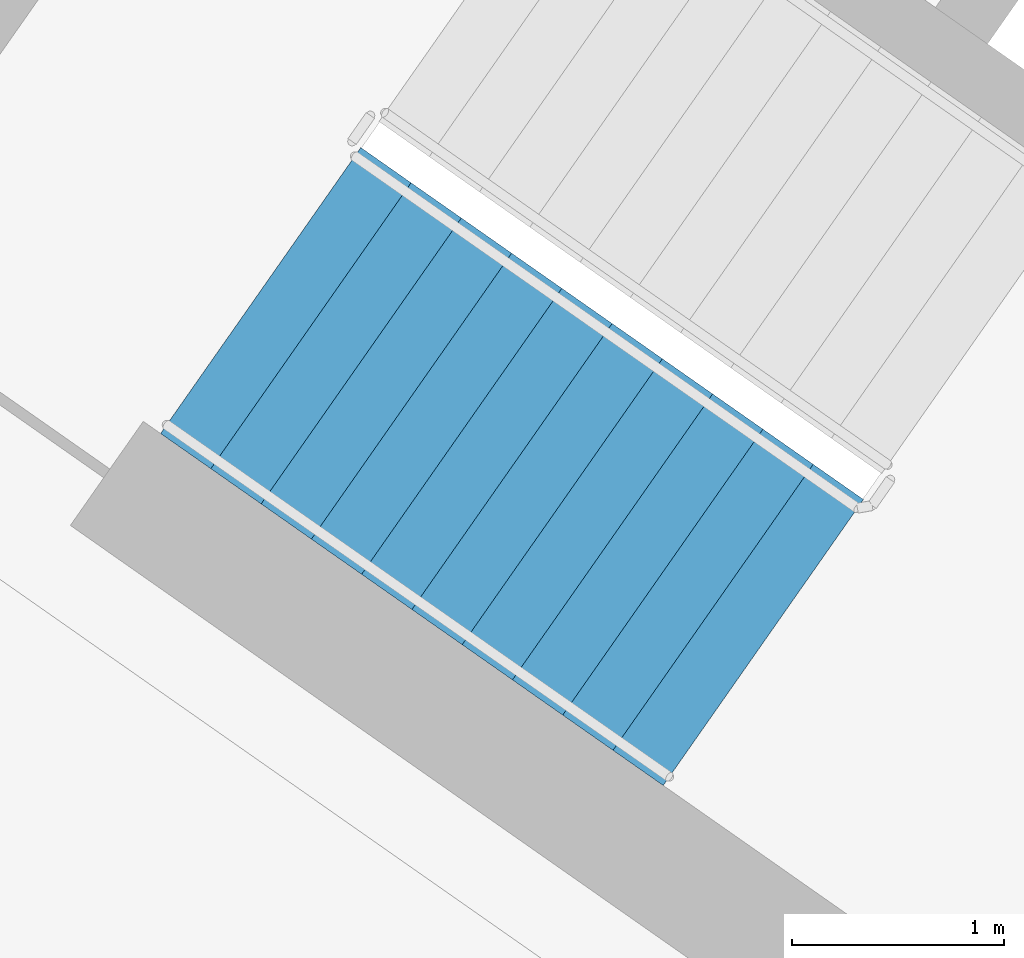
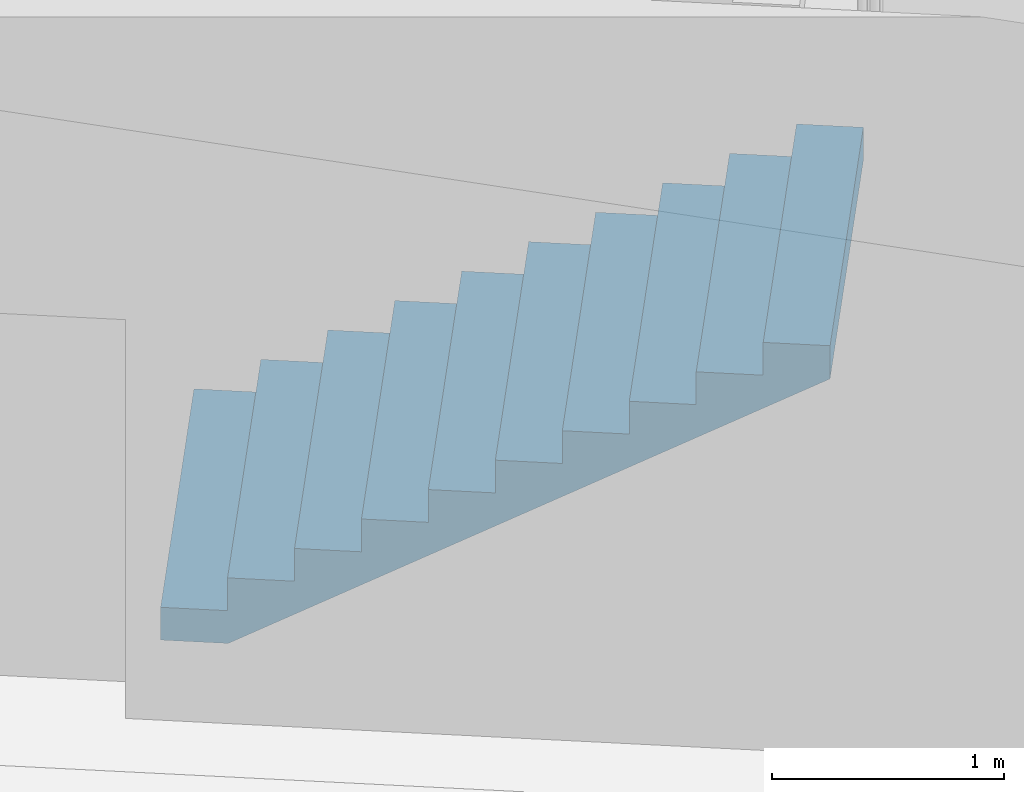
# One storey, part 10 of 27: 1 stair flight, 1 element without a shape of its own.
"""IFC4 building model written with IfcOpenShell, lengths in metres."""

from ifc_helpers import new_model, si_unit, direction, frame, origin, place, context, subcontext, project, spatial, faceted_brep, material, type_object, element, aggregate, save


model = new_model("IFC4")

# Units and contexts
model_context = context("Model", 3, precision=1e-05, world=origin(), true_north=direction((0.0, 1.0)))
body_context = subcontext(model_context, "Body", "Model", "MODEL_VIEW")
ifc_project = project(units=[si_unit("LENGTHUNIT", "METRE"), si_unit("AREAUNIT", "SQUARE_METRE"), si_unit("VOLUMEUNIT", "CUBIC_METRE"), si_unit("PLANEANGLEUNIT", "RADIAN"), si_unit("MASSUNIT", "GRAM", prefix="KILO")], contexts=[model_context])

# Site, building, storey
site_placement = place(None, origin())
site = spatial("IfcSite", under=ifc_project, at=site_placement, CompositionType="ELEMENT")
building_placement = place(site_placement, origin())
building = spatial("IfcBuilding", under=site, at=building_placement, Name="Qamariyya Broadcast Tower", CompositionType="ELEMENT")
storey_placement = place(building_placement, frame((0.0, 0.0, 175.89990234375)))
storey = spatial("IfcBuildingStorey", under=building, at=storey_placement, Name="L41", CompositionType="ELEMENT", Elevation=175.89990234375)

# Stair, stair flight
ifc_material = material(Name="Concrete C50/60", Category="concrete")
stair_type = type_object("IfcStairType", Name="Exit stair 22 risers of 173 mm", PredefinedType="HALF_TURN_STAIR", material=ifc_material)
stair_placement = place(storey_placement, origin())
stair = element("IfcStair", 1, at=stair_placement, inside=storey, type_object=stair_type, Name="L41 Stair W1", PredefinedType="HALF_TURN_STAIR")
stair_flight_type = type_object("IfcStairFlightType", Name="Exit stair flight 11 risers of 173 mm", PredefinedType="STRAIGHT", material=ifc_material)
stair_flight_placement = place(storey_placement, frame((-47.06884765625, -56.982666015625, 0.0), z_axis=(0.0, 0.0, 1.0), x_axis=(0.819152044289, -0.573576436351, 0.0)))
stair_flight = element("IfcStairFlight", 2, at=stair_flight_placement, type_object=stair_flight_type, Name="ST-W1 flight 1", NumberOfRisers=11, NumberOfTreads=10, PredefinedType="STRAIGHT", RiserHeight=0.172727273, TreadLength=0.29, context=body_context, shape_type="Brep", body=[
    faceted_brep([(0.0, 0.824951171875, 0.0), (0.0, 0.824951171875, 0.172607421875), (0.2900390625, 0.824951171875, 0.172607421875), (0.2900390625, 0.824951171875, 0.345458984375), (0.580078125, 0.824951171875, 0.345458984375), (0.580078125, 0.824951171875, 0.51806640625), (0.8701171875, 0.824951171875, 0.51806640625), (0.8701171875, 0.824951171875, 0.69091796875), (1.159912109375, 0.824951171875, 0.69091796875), (1.159912109375, 0.824951171875, 0.863525390625), (1.449951171875, 0.824951171875, 0.863525390625), (1.449951171875, 0.824951171875, 1.036376953125), (1.739990234375, 0.824951171875, 1.036376953125), (1.739990234375, 0.824951171875, 1.208984375), (2.030029296875, 0.824951171875, 1.208984375), (2.030029296875, 0.824951171875, 1.3818359375), (2.320068359375, 0.824951171875, 1.3818359375), (2.320068359375, 0.824951171875, 1.554443359375), (2.610107421875, 0.824951171875, 1.554443359375), (2.610107421875, 0.824951171875, 1.727294921875), (2.89990234375, 0.824951171875, 1.727294921875), (2.89990234375, 0.824951171875, 1.552734375), (0.29296875, 0.824951171875, 0.0), (0.29296875, -0.824951171875, 0.0), (2.89990234375, -0.824951171875, 1.552734375), (2.89990234375, -0.824951171875, 1.727294921875), (2.610107421875, -0.824951171875, 1.727294921875), (2.610107421875, -0.824951171875, 1.554443359375), (2.320068359375, -0.824951171875, 1.554443359375), (2.320068359375, -0.824951171875, 1.3818359375), (2.030029296875, -0.824951171875, 1.3818359375), (2.030029296875, -0.824951171875, 1.208984375), (1.739990234375, -0.824951171875, 1.208984375), (1.739990234375, -0.824951171875, 1.036376953125), (1.449951171875, -0.824951171875, 1.036376953125), (1.449951171875, -0.824951171875, 0.863525390625), (1.159912109375, -0.824951171875, 0.863525390625), (1.159912109375, -0.824951171875, 0.69091796875), (0.8701171875, -0.824951171875, 0.69091796875), (0.8701171875, -0.824951171875, 0.51806640625), (0.580078125, -0.824951171875, 0.51806640625), (0.580078125, -0.824951171875, 0.345458984375), (0.2900390625, -0.824951171875, 0.345458984375), (0.2900390625, -0.824951171875, 0.172607421875), (0.0, -0.824951171875, 0.172607421875), (0.0, -0.824951171875, 0.0), (0.0, 0.10009765625, 0.0), (0.0, 0.086669921875, 0.0), (0.0, 0.0732421875, 0.0), (0.0, 0.06005859375, 0.0), (0.0, 0.046630859375, 0.0), (0.0, 0.033447265625, 0.0), (0.0, 0.02001953125, 0.0), (0.0, 0.006591796875, 0.0), (0.0, -0.006591796875, 0.0), (0.0, -0.02001953125, 0.0), (0.0, -0.033447265625, 0.0), (0.0, -0.046630859375, 0.0), (0.0, -0.06005859375, 0.0), (0.0, -0.0732421875, 0.0), (0.0, -0.086669921875, 0.0), (0.0, -0.10009765625, 0.0), (0.0, -0.10009765625, 0.172607421875), (0.0, -0.086669921875, 0.172607421875), (0.0, -0.0732421875, 0.172607421875), (0.0, -0.06005859375, 0.172607421875), (0.0, -0.046630859375, 0.172607421875), (0.0, -0.033447265625, 0.172607421875), (0.0, -0.02001953125, 0.172607421875), (0.0, -0.006591796875, 0.172607421875), (0.0, 0.006591796875, 0.172607421875), (0.0, 0.02001953125, 0.172607421875), (0.0, 0.033447265625, 0.172607421875), (0.0, 0.046630859375, 0.172607421875), (0.0, 0.06005859375, 0.172607421875), (0.0, 0.0732421875, 0.172607421875), (0.0, 0.086669921875, 0.172607421875), (0.0, 0.10009765625, 0.172607421875), (0.2900390625, -0.10009765625, 0.172607421875), (0.2900390625, -0.086669921875, 0.172607421875), (0.2900390625, -0.0732421875, 0.172607421875), (0.2900390625, -0.06005859375, 0.172607421875), (0.2900390625, -0.046630859375, 0.172607421875), (0.2900390625, -0.033447265625, 0.172607421875), (0.2900390625, -0.02001953125, 0.172607421875), (0.2900390625, -0.006591796875, 0.172607421875), (0.2900390625, 0.006591796875, 0.172607421875), (0.2900390625, 0.02001953125, 0.172607421875), (0.2900390625, 0.033447265625, 0.172607421875), (0.2900390625, 0.046630859375, 0.172607421875), (0.2900390625, 0.06005859375, 0.172607421875), (0.2900390625, 0.0732421875, 0.172607421875), (0.2900390625, 0.086669921875, 0.172607421875), (0.2900390625, 0.10009765625, 0.172607421875), (0.2900390625, -0.10009765625, 0.345458984375), (0.2900390625, -0.086669921875, 0.345458984375), (0.2900390625, -0.0732421875, 0.345458984375), (0.2900390625, -0.06005859375, 0.345458984375), (0.2900390625, -0.046630859375, 0.345458984375), (0.2900390625, -0.033447265625, 0.345458984375), (0.2900390625, -0.02001953125, 0.345458984375), (0.2900390625, -0.006591796875, 0.345458984375), (0.2900390625, 0.006591796875, 0.345458984375), (0.2900390625, 0.02001953125, 0.345458984375), (0.2900390625, 0.033447265625, 0.345458984375), (0.2900390625, 0.046630859375, 0.345458984375), (0.2900390625, 0.06005859375, 0.345458984375), (0.2900390625, 0.0732421875, 0.345458984375), (0.2900390625, 0.086669921875, 0.345458984375), (0.2900390625, 0.10009765625, 0.345458984375), (0.580078125, -0.10009765625, 0.345458984375), (0.580078125, -0.086669921875, 0.345458984375), (0.580078125, -0.0732421875, 0.345458984375), (0.580078125, -0.06005859375, 0.345458984375), (0.580078125, -0.046630859375, 0.345458984375), (0.580078125, -0.033447265625, 0.345458984375), (0.580078125, -0.02001953125, 0.345458984375), (0.580078125, -0.006591796875, 0.345458984375), (0.580078125, 0.006591796875, 0.345458984375), (0.580078125, 0.02001953125, 0.345458984375), (0.580078125, 0.033447265625, 0.345458984375), (0.580078125, 0.046630859375, 0.345458984375), (0.580078125, 0.06005859375, 0.345458984375), (0.580078125, 0.0732421875, 0.345458984375), (0.580078125, 0.086669921875, 0.345458984375), (0.580078125, 0.10009765625, 0.345458984375), (0.580078125, -0.10009765625, 0.51806640625), (0.580078125, -0.086669921875, 0.51806640625), (0.580078125, -0.0732421875, 0.51806640625), (0.580078125, -0.06005859375, 0.51806640625), (0.580078125, -0.046630859375, 0.51806640625), (0.580078125, -0.033447265625, 0.51806640625), (0.580078125, -0.02001953125, 0.51806640625), (0.580078125, -0.006591796875, 0.51806640625), (0.580078125, 0.006591796875, 0.51806640625), (0.580078125, 0.02001953125, 0.51806640625), (0.580078125, 0.033447265625, 0.51806640625), (0.580078125, 0.046630859375, 0.51806640625), (0.580078125, 0.06005859375, 0.51806640625), (0.580078125, 0.0732421875, 0.51806640625), (0.580078125, 0.086669921875, 0.51806640625), (0.580078125, 0.10009765625, 0.51806640625), (0.8701171875, -0.10009765625, 0.51806640625), (0.8701171875, -0.086669921875, 0.51806640625), (0.8701171875, -0.0732421875, 0.51806640625), (0.8701171875, -0.06005859375, 0.51806640625), (0.8701171875, -0.046630859375, 0.51806640625), (0.8701171875, -0.033447265625, 0.51806640625), (0.8701171875, -0.02001953125, 0.51806640625), (0.8701171875, -0.006591796875, 0.51806640625), (0.8701171875, 0.006591796875, 0.51806640625), (0.8701171875, 0.02001953125, 0.51806640625), (0.8701171875, 0.033447265625, 0.51806640625), (0.8701171875, 0.046630859375, 0.51806640625), (0.8701171875, 0.06005859375, 0.51806640625), (0.8701171875, 0.0732421875, 0.51806640625), (0.8701171875, 0.086669921875, 0.51806640625), (0.8701171875, 0.10009765625, 0.51806640625), (0.8701171875, -0.10009765625, 0.69091796875), (0.8701171875, -0.086669921875, 0.69091796875), (0.8701171875, -0.0732421875, 0.69091796875), (0.8701171875, -0.06005859375, 0.69091796875), (0.8701171875, -0.046630859375, 0.69091796875), (0.8701171875, -0.033447265625, 0.69091796875), (0.8701171875, -0.02001953125, 0.69091796875), (0.8701171875, -0.006591796875, 0.69091796875), (0.8701171875, 0.006591796875, 0.69091796875), (0.8701171875, 0.02001953125, 0.69091796875), (0.8701171875, 0.033447265625, 0.69091796875), (0.8701171875, 0.046630859375, 0.69091796875), (0.8701171875, 0.06005859375, 0.69091796875), (0.8701171875, 0.0732421875, 0.69091796875), (0.8701171875, 0.086669921875, 0.69091796875), (0.8701171875, 0.10009765625, 0.69091796875), (1.159912109375, -0.10009765625, 0.69091796875), (1.159912109375, -0.086669921875, 0.69091796875), (1.159912109375, -0.0732421875, 0.69091796875), (1.159912109375, -0.06005859375, 0.69091796875), (1.159912109375, -0.046630859375, 0.69091796875), (1.159912109375, -0.033447265625, 0.69091796875), (1.159912109375, -0.02001953125, 0.69091796875), (1.159912109375, -0.006591796875, 0.69091796875), (1.159912109375, 0.006591796875, 0.69091796875), (1.159912109375, 0.02001953125, 0.69091796875), (1.159912109375, 0.033447265625, 0.69091796875), (1.159912109375, 0.046630859375, 0.69091796875), (1.159912109375, 0.06005859375, 0.69091796875), (1.159912109375, 0.0732421875, 0.69091796875), (1.159912109375, 0.086669921875, 0.69091796875), (1.159912109375, 0.10009765625, 0.69091796875), (1.159912109375, -0.10009765625, 0.863525390625), (1.159912109375, -0.086669921875, 0.863525390625), (1.159912109375, -0.0732421875, 0.863525390625), (1.159912109375, -0.06005859375, 0.863525390625), (1.159912109375, -0.046630859375, 0.863525390625), (1.159912109375, -0.033447265625, 0.863525390625), (1.159912109375, -0.02001953125, 0.863525390625), (1.159912109375, -0.006591796875, 0.863525390625), (1.159912109375, 0.006591796875, 0.863525390625), (1.159912109375, 0.02001953125, 0.863525390625), (1.159912109375, 0.033447265625, 0.863525390625), (1.159912109375, 0.046630859375, 0.863525390625), (1.159912109375, 0.06005859375, 0.863525390625), (1.159912109375, 0.0732421875, 0.863525390625), (1.159912109375, 0.086669921875, 0.863525390625), (1.159912109375, 0.10009765625, 0.863525390625), (1.449951171875, -0.10009765625, 0.863525390625), (1.449951171875, -0.086669921875, 0.863525390625), (1.449951171875, -0.0732421875, 0.863525390625), (1.449951171875, -0.06005859375, 0.863525390625), (1.449951171875, -0.046630859375, 0.863525390625), (1.449951171875, -0.033447265625, 0.863525390625), (1.449951171875, -0.02001953125, 0.863525390625), (1.449951171875, -0.006591796875, 0.863525390625), (1.449951171875, 0.006591796875, 0.863525390625), (1.449951171875, 0.02001953125, 0.863525390625), (1.449951171875, 0.033447265625, 0.863525390625), (1.449951171875, 0.046630859375, 0.863525390625), (1.449951171875, 0.06005859375, 0.863525390625), (1.449951171875, 0.0732421875, 0.863525390625), (1.449951171875, 0.086669921875, 0.863525390625), (1.449951171875, 0.10009765625, 0.863525390625), (1.449951171875, -0.10009765625, 1.036376953125), (1.449951171875, -0.086669921875, 1.036376953125), (1.449951171875, -0.0732421875, 1.036376953125), (1.449951171875, -0.06005859375, 1.036376953125), (1.449951171875, -0.046630859375, 1.036376953125), (1.449951171875, -0.033447265625, 1.036376953125), (1.449951171875, -0.02001953125, 1.036376953125), (1.449951171875, -0.006591796875, 1.036376953125), (1.449951171875, 0.006591796875, 1.036376953125), (1.449951171875, 0.02001953125, 1.036376953125), (1.449951171875, 0.033447265625, 1.036376953125), (1.449951171875, 0.046630859375, 1.036376953125), (1.449951171875, 0.06005859375, 1.036376953125), (1.449951171875, 0.0732421875, 1.036376953125), (1.449951171875, 0.086669921875, 1.036376953125), (1.449951171875, 0.10009765625, 1.036376953125), (1.739990234375, -0.10009765625, 1.036376953125), (1.739990234375, -0.086669921875, 1.036376953125), (1.739990234375, -0.0732421875, 1.036376953125), (1.739990234375, -0.06005859375, 1.036376953125), (1.739990234375, -0.046630859375, 1.036376953125), (1.739990234375, -0.033447265625, 1.036376953125), (1.739990234375, -0.02001953125, 1.036376953125), (1.739990234375, -0.006591796875, 1.036376953125), (1.739990234375, 0.006591796875, 1.036376953125), (1.739990234375, 0.02001953125, 1.036376953125), (1.739990234375, 0.033447265625, 1.036376953125), (1.739990234375, 0.046630859375, 1.036376953125), (1.739990234375, 0.06005859375, 1.036376953125), (1.739990234375, 0.0732421875, 1.036376953125), (1.739990234375, 0.086669921875, 1.036376953125), (1.739990234375, 0.10009765625, 1.036376953125), (1.739990234375, -0.10009765625, 1.208984375), (1.739990234375, -0.086669921875, 1.208984375), (1.739990234375, -0.0732421875, 1.208984375), (1.739990234375, -0.06005859375, 1.208984375), (1.739990234375, -0.046630859375, 1.208984375), (1.739990234375, -0.033447265625, 1.208984375), (1.739990234375, -0.02001953125, 1.208984375), (1.739990234375, -0.006591796875, 1.208984375), (1.739990234375, 0.006591796875, 1.208984375), (1.739990234375, 0.02001953125, 1.208984375), (1.739990234375, 0.033447265625, 1.208984375), (1.739990234375, 0.046630859375, 1.208984375), (1.739990234375, 0.06005859375, 1.208984375), (1.739990234375, 0.0732421875, 1.208984375), (1.739990234375, 0.086669921875, 1.208984375), (1.739990234375, 0.10009765625, 1.208984375), (2.030029296875, -0.10009765625, 1.208984375), (2.030029296875, -0.086669921875, 1.208984375), (2.030029296875, -0.0732421875, 1.208984375), (2.030029296875, -0.06005859375, 1.208984375), (2.030029296875, -0.046630859375, 1.208984375), (2.030029296875, -0.033447265625, 1.208984375), (2.030029296875, -0.02001953125, 1.208984375), (2.030029296875, -0.006591796875, 1.208984375), (2.030029296875, 0.006591796875, 1.208984375), (2.030029296875, 0.02001953125, 1.208984375), (2.030029296875, 0.033447265625, 1.208984375), (2.030029296875, 0.046630859375, 1.208984375), (2.030029296875, 0.06005859375, 1.208984375), (2.030029296875, 0.0732421875, 1.208984375), (2.030029296875, 0.086669921875, 1.208984375), (2.030029296875, 0.10009765625, 1.208984375), (2.030029296875, -0.10009765625, 1.3818359375), (2.030029296875, -0.086669921875, 1.3818359375), (2.030029296875, -0.0732421875, 1.3818359375), (2.030029296875, -0.06005859375, 1.3818359375), (2.030029296875, -0.046630859375, 1.3818359375), (2.030029296875, -0.033447265625, 1.3818359375), (2.030029296875, -0.02001953125, 1.3818359375), (2.030029296875, -0.006591796875, 1.3818359375), (2.030029296875, 0.006591796875, 1.3818359375), (2.030029296875, 0.02001953125, 1.3818359375), (2.030029296875, 0.033447265625, 1.3818359375), (2.030029296875, 0.046630859375, 1.3818359375), (2.030029296875, 0.06005859375, 1.3818359375), (2.030029296875, 0.0732421875, 1.3818359375), (2.030029296875, 0.086669921875, 1.3818359375), (2.030029296875, 0.10009765625, 1.3818359375), (2.320068359375, -0.10009765625, 1.3818359375), (2.320068359375, -0.086669921875, 1.3818359375), (2.320068359375, -0.0732421875, 1.3818359375), (2.320068359375, -0.06005859375, 1.3818359375), (2.320068359375, -0.046630859375, 1.3818359375), (2.320068359375, -0.033447265625, 1.3818359375), (2.320068359375, -0.02001953125, 1.3818359375), (2.320068359375, -0.006591796875, 1.3818359375), (2.320068359375, 0.006591796875, 1.3818359375), (2.320068359375, 0.02001953125, 1.3818359375), (2.320068359375, 0.033447265625, 1.3818359375), (2.320068359375, 0.046630859375, 1.3818359375), (2.320068359375, 0.06005859375, 1.3818359375), (2.320068359375, 0.0732421875, 1.3818359375), (2.320068359375, 0.086669921875, 1.3818359375), (2.320068359375, 0.10009765625, 1.3818359375), (2.320068359375, -0.10009765625, 1.554443359375), (2.320068359375, -0.086669921875, 1.554443359375), (2.320068359375, -0.0732421875, 1.554443359375), (2.320068359375, -0.06005859375, 1.554443359375), (2.320068359375, -0.046630859375, 1.554443359375), (2.320068359375, -0.033447265625, 1.554443359375), (2.320068359375, -0.02001953125, 1.554443359375), (2.320068359375, -0.006591796875, 1.554443359375), (2.320068359375, 0.006591796875, 1.554443359375), (2.320068359375, 0.02001953125, 1.554443359375), (2.320068359375, 0.033447265625, 1.554443359375), (2.320068359375, 0.046630859375, 1.554443359375), (2.320068359375, 0.06005859375, 1.554443359375), (2.320068359375, 0.0732421875, 1.554443359375), (2.320068359375, 0.086669921875, 1.554443359375), (2.320068359375, 0.10009765625, 1.554443359375), (2.610107421875, -0.10009765625, 1.554443359375), (2.610107421875, -0.086669921875, 1.554443359375), (2.610107421875, -0.0732421875, 1.554443359375), (2.610107421875, -0.06005859375, 1.554443359375), (2.610107421875, -0.046630859375, 1.554443359375), (2.610107421875, -0.033447265625, 1.554443359375), (2.610107421875, -0.02001953125, 1.554443359375), (2.610107421875, -0.006591796875, 1.554443359375), (2.610107421875, 0.006591796875, 1.554443359375), (2.610107421875, 0.02001953125, 1.554443359375), (2.610107421875, 0.033447265625, 1.554443359375), (2.610107421875, 0.046630859375, 1.554443359375), (2.610107421875, 0.06005859375, 1.554443359375), (2.610107421875, 0.0732421875, 1.554443359375), (2.610107421875, 0.086669921875, 1.554443359375), (2.610107421875, 0.10009765625, 1.554443359375), (2.610107421875, -0.10009765625, 1.727294921875), (2.610107421875, -0.086669921875, 1.727294921875), (2.610107421875, -0.0732421875, 1.727294921875), (2.610107421875, -0.06005859375, 1.727294921875), (2.610107421875, -0.046630859375, 1.727294921875), (2.610107421875, -0.033447265625, 1.727294921875), (2.610107421875, -0.02001953125, 1.727294921875), (2.610107421875, -0.006591796875, 1.727294921875), (2.610107421875, 0.006591796875, 1.727294921875), (2.610107421875, 0.02001953125, 1.727294921875), (2.610107421875, 0.033447265625, 1.727294921875), (2.610107421875, 0.046630859375, 1.727294921875), (2.610107421875, 0.06005859375, 1.727294921875), (2.610107421875, 0.0732421875, 1.727294921875), (2.610107421875, 0.086669921875, 1.727294921875), (2.610107421875, 0.10009765625, 1.727294921875), (2.89990234375, -0.10009765625, 1.727294921875), (2.89990234375, -0.086669921875, 1.727294921875), (2.89990234375, -0.0732421875, 1.727294921875), (2.89990234375, -0.06005859375, 1.727294921875), (2.89990234375, -0.046630859375, 1.727294921875), (2.89990234375, -0.033447265625, 1.727294921875), (2.89990234375, -0.02001953125, 1.727294921875), (2.89990234375, -0.006591796875, 1.727294921875), (2.89990234375, 0.006591796875, 1.727294921875), (2.89990234375, 0.02001953125, 1.727294921875), (2.89990234375, 0.033447265625, 1.727294921875), (2.89990234375, 0.046630859375, 1.727294921875), (2.89990234375, 0.06005859375, 1.727294921875), (2.89990234375, 0.0732421875, 1.727294921875), (2.89990234375, 0.086669921875, 1.727294921875), (2.89990234375, 0.10009765625, 1.727294921875), (2.89990234375, -0.10009765625, 1.552734375), (2.89990234375, -0.086669921875, 1.552734375), (2.89990234375, -0.0732421875, 1.552734375), (2.89990234375, -0.06005859375, 1.552734375), (2.89990234375, -0.046630859375, 1.552734375), (2.89990234375, -0.033447265625, 1.552734375), (2.89990234375, -0.02001953125, 1.552734375), (2.89990234375, -0.006591796875, 1.552734375), (2.89990234375, 0.006591796875, 1.552734375), (2.89990234375, 0.02001953125, 1.552734375), (2.89990234375, 0.033447265625, 1.552734375), (2.89990234375, 0.046630859375, 1.552734375), (2.89990234375, 0.06005859375, 1.552734375), (2.89990234375, 0.0732421875, 1.552734375), (2.89990234375, 0.086669921875, 1.552734375), (2.89990234375, 0.10009765625, 1.552734375), (0.29296875, -0.10009765625, 0.0), (0.29296875, -0.086669921875, 0.0), (0.29296875, -0.0732421875, 0.0), (0.29296875, -0.06005859375, 0.0), (0.29296875, -0.046630859375, 0.0), (0.29296875, -0.033447265625, 0.0), (0.29296875, -0.02001953125, 0.0), (0.29296875, -0.006591796875, 0.0), (0.29296875, 0.006591796875, 0.0), (0.29296875, 0.02001953125, 0.0), (0.29296875, 0.033447265625, 0.0), (0.29296875, 0.046630859375, 0.0), (0.29296875, 0.06005859375, 0.0), (0.29296875, 0.0732421875, 0.0), (0.29296875, 0.086669921875, 0.0), (0.29296875, 0.10009765625, 0.0)], [[[0, 1, 2, 3, 4, 5, 6, 7, 8, 9, 10, 11, 12, 13, 14, 15, 16, 17, 18, 19, 20, 21, 22]], [[23, 24, 25, 26, 27, 28, 29, 30, 31, 32, 33, 34, 35, 36, 37, 38, 39, 40, 41, 42, 43, 44, 45]], [[0, 46, 47, 48, 49, 50, 51, 52, 53, 54, 55, 56, 57, 58, 59, 60, 61, 45, 44, 62, 63, 64, 65, 66, 67, 68, 69, 70, 71, 72, 73, 74, 75, 76, 77, 1]], [[1, 77, 76, 75, 74, 73, 72, 71, 70, 69, 68, 67, 66, 65, 64, 63, 62, 44, 43, 78, 79, 80, 81, 82, 83, 84, 85, 86, 87, 88, 89, 90, 91, 92, 93, 2]], [[2, 93, 92, 91, 90, 89, 88, 87, 86, 85, 84, 83, 82, 81, 80, 79, 78, 43, 42, 94, 95, 96, 97, 98, 99, 100, 101, 102, 103, 104, 105, 106, 107, 108, 109, 3]], [[3, 109, 108, 107, 106, 105, 104, 103, 102, 101, 100, 99, 98, 97, 96, 95, 94, 42, 41, 110, 111, 112, 113, 114, 115, 116, 117, 118, 119, 120, 121, 122, 123, 124, 125, 4]], [[4, 125, 124, 123, 122, 121, 120, 119, 118, 117, 116, 115, 114, 113, 112, 111, 110, 41, 40, 126, 127, 128, 129, 130, 131, 132, 133, 134, 135, 136, 137, 138, 139, 140, 141, 5]], [[5, 141, 140, 139, 138, 137, 136, 135, 134, 133, 132, 131, 130, 129, 128, 127, 126, 40, 39, 142, 143, 144, 145, 146, 147, 148, 149, 150, 151, 152, 153, 154, 155, 156, 157, 6]], [[6, 157, 156, 155, 154, 153, 152, 151, 150, 149, 148, 147, 146, 145, 144, 143, 142, 39, 38, 158, 159, 160, 161, 162, 163, 164, 165, 166, 167, 168, 169, 170, 171, 172, 173, 7]], [[7, 173, 172, 171, 170, 169, 168, 167, 166, 165, 164, 163, 162, 161, 160, 159, 158, 38, 37, 174, 175, 176, 177, 178, 179, 180, 181, 182, 183, 184, 185, 186, 187, 188, 189, 8]], [[8, 189, 188, 187, 186, 185, 184, 183, 182, 181, 180, 179, 178, 177, 176, 175, 174, 37, 36, 190, 191, 192, 193, 194, 195, 196, 197, 198, 199, 200, 201, 202, 203, 204, 205, 9]], [[9, 205, 204, 203, 202, 201, 200, 199, 198, 197, 196, 195, 194, 193, 192, 191, 190, 36, 35, 206, 207, 208, 209, 210, 211, 212, 213, 214, 215, 216, 217, 218, 219, 220, 221, 10]], [[10, 221, 220, 219, 218, 217, 216, 215, 214, 213, 212, 211, 210, 209, 208, 207, 206, 35, 34, 222, 223, 224, 225, 226, 227, 228, 229, 230, 231, 232, 233, 234, 235, 236, 237, 11]], [[11, 237, 236, 235, 234, 233, 232, 231, 230, 229, 228, 227, 226, 225, 224, 223, 222, 34, 33, 238, 239, 240, 241, 242, 243, 244, 245, 246, 247, 248, 249, 250, 251, 252, 253, 12]], [[12, 253, 252, 251, 250, 249, 248, 247, 246, 245, 244, 243, 242, 241, 240, 239, 238, 33, 32, 254, 255, 256, 257, 258, 259, 260, 261, 262, 263, 264, 265, 266, 267, 268, 269, 13]], [[13, 269, 268, 267, 266, 265, 264, 263, 262, 261, 260, 259, 258, 257, 256, 255, 254, 32, 31, 270, 271, 272, 273, 274, 275, 276, 277, 278, 279, 280, 281, 282, 283, 284, 285, 14]], [[14, 285, 284, 283, 282, 281, 280, 279, 278, 277, 276, 275, 274, 273, 272, 271, 270, 31, 30, 286, 287, 288, 289, 290, 291, 292, 293, 294, 295, 296, 297, 298, 299, 300, 301, 15]], [[15, 301, 300, 299, 298, 297, 296, 295, 294, 293, 292, 291, 290, 289, 288, 287, 286, 30, 29, 302, 303, 304, 305, 306, 307, 308, 309, 310, 311, 312, 313, 314, 315, 316, 317, 16]], [[16, 317, 316, 315, 314, 313, 312, 311, 310, 309, 308, 307, 306, 305, 304, 303, 302, 29, 28, 318, 319, 320, 321, 322, 323, 324, 325, 326, 327, 328, 329, 330, 331, 332, 333, 17]], [[17, 333, 332, 331, 330, 329, 328, 327, 326, 325, 324, 323, 322, 321, 320, 319, 318, 28, 27, 334, 335, 336, 337, 338, 339, 340, 341, 342, 343, 344, 345, 346, 347, 348, 349, 18]], [[18, 349, 348, 347, 346, 345, 344, 343, 342, 341, 340, 339, 338, 337, 336, 335, 334, 27, 26, 350, 351, 352, 353, 354, 355, 356, 357, 358, 359, 360, 361, 362, 363, 364, 365, 19]], [[19, 365, 364, 363, 362, 361, 360, 359, 358, 357, 356, 355, 354, 353, 352, 351, 350, 26, 25, 366, 367, 368, 369, 370, 371, 372, 373, 374, 375, 376, 377, 378, 379, 380, 381, 20]], [[20, 381, 380, 379, 378, 377, 376, 375, 374, 373, 372, 371, 370, 369, 368, 367, 366, 25, 24, 382, 383, 384, 385, 386, 387, 388, 389, 390, 391, 392, 393, 394, 395, 396, 397, 21]], [[21, 397, 396, 395, 394, 393, 392, 391, 390, 389, 388, 387, 386, 385, 384, 383, 382, 24, 23, 398, 399, 400, 401, 402, 403, 404, 405, 406, 407, 408, 409, 410, 411, 412, 413, 22]], [[22, 413, 412, 411, 410, 409, 408, 407, 406, 405, 404, 403, 402, 401, 400, 399, 398, 23, 45, 61, 60, 59, 58, 57, 56, 55, 54, 53, 52, 51, 50, 49, 48, 47, 46, 0]]]),
])
aggregate(stair, [stair_flight])

save(model, "model.ifc")
